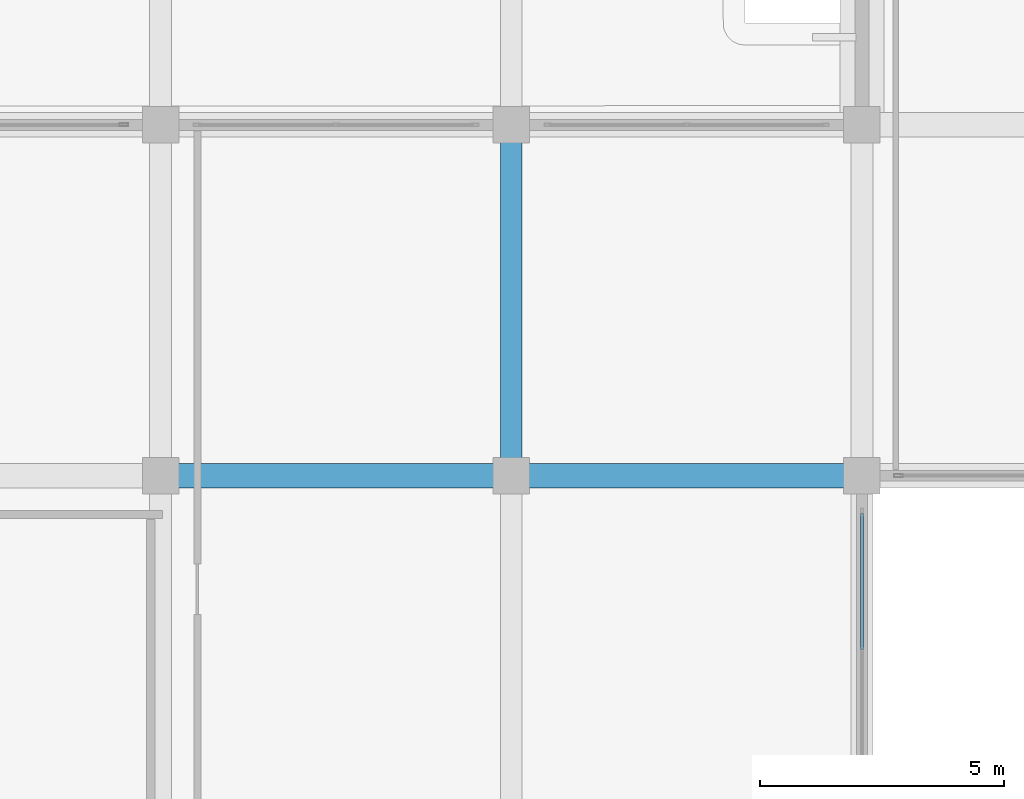
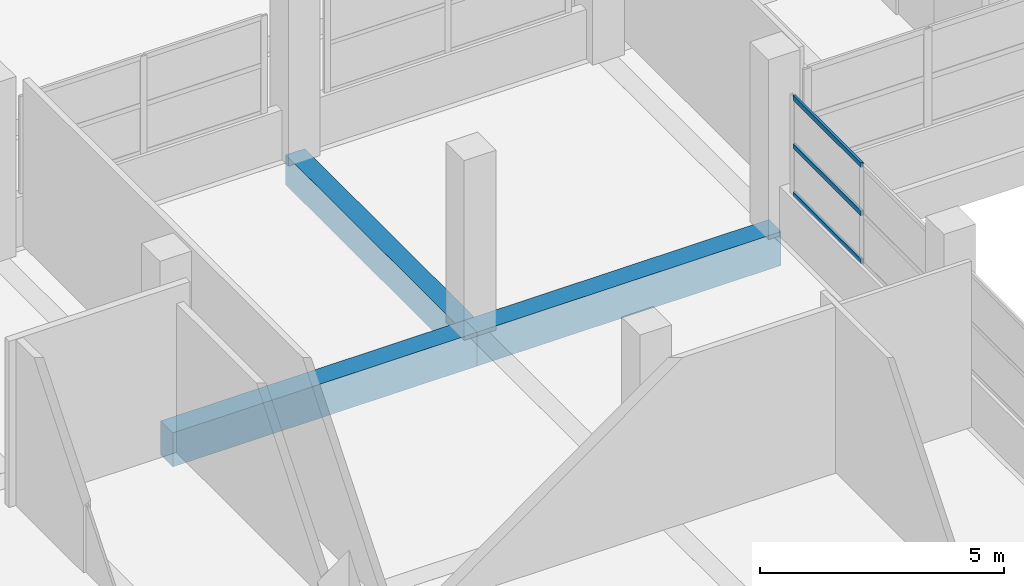
# One storey, part 64 of 141: 3 beams, 3 members, 1 element without a shape of its own.
"""IFC4 building model written with IfcOpenShell, lengths in metres."""

from ifc_helpers import new_model, si_unit, direction, frame, origin, origin_2d, place, context, subcontext, project, spatial, rectangle, hollow_rectangle, extrude, material, layer, layer_set, material_profile, profile_set, type_object, element, aggregate, save


model = new_model("IFC4")

# Units and contexts
model_context = context("Model", 3, precision=1e-05, world=origin(), true_north=direction((0.0, 1.0)))
body_context = subcontext(model_context, "Body", "Model", "MODEL_VIEW")
ifc_project = project(units=[si_unit("LENGTHUNIT", "METRE"), si_unit("AREAUNIT", "SQUARE_METRE"), si_unit("VOLUMEUNIT", "CUBIC_METRE"), si_unit("PLANEANGLEUNIT", "RADIAN"), si_unit("MASSUNIT", "GRAM", prefix="KILO")], contexts=[model_context])

# Site, building, storey
site_placement = place(None, origin())
site = spatial("IfcSite", under=ifc_project, at=site_placement, CompositionType="ELEMENT")
building_placement = place(site_placement, origin())
building = spatial("IfcBuilding", under=site, at=building_placement, Name="Seraya Terrace Polytechnic", CompositionType="ELEMENT")
storey_placement = place(building_placement, frame((0.0, 0.0, 14.39990234375)))
storey = spatial("IfcBuildingStorey", under=building, at=storey_placement, Name="L03", CompositionType="ELEMENT", Elevation=14.39990234375)

# Beams
ifc_material_1 = material(Name="Concrete C40/50", Category="concrete")
ifc_material_profile_1 = material_profile(ifc_material_1, rectangle(XDim=0.5, YDim=0.85009765625, at=origin_2d()), Name="RC 500x850")
ifc_profile_set_1 = profile_set([ifc_material_profile_1], Name="Concrete C40/50")
beam_type_1 = type_object("IfcBeamType", Name="BM-05", PredefinedType="BEAM", material=ifc_profile_set_1)
for number, where, z_axis, x_axis, name in (
    (1, (28.800048828125, 64.800048828125, -0.4248046875), (1.0, 0.0, 0.0), (0.0, 1.0, 0.0), "Beam BM-05 L03 X (28.8..36.0, 64.8)"),
    (2, (36.0, 64.800048828125, -0.4248046875), (1.0, 0.0, 0.0), (0.0, 1.0, 0.0), "Beam BM-05 L03 X (36.0..43.2, 64.8)"),
):
    element("IfcBeam", number, at=place(storey_placement, frame(where, z_axis=z_axis, x_axis=x_axis)), inside=storey, type_object=beam_type_1, Name=name, PredefinedType="BEAM", context=body_context, shape_type="SweptSolid", body=[
        extrude(rectangle(XDim=0.5, YDim=0.85009765625, at=origin_2d()), origin(), (0.0, 0.0, 1.0), 7.199951171875),
    ])
ifc_material_profile_2 = material_profile(ifc_material_1, rectangle(XDim=0.449951171875, YDim=0.75, at=origin_2d()), Name="RC 450x750")
ifc_profile_set_2 = profile_set([ifc_material_profile_2], Name="Concrete C40/50")
beam_type_2 = type_object("IfcBeamType", Name="BM-08", PredefinedType="BEAM", material=ifc_profile_set_2)
beam_placement = place(storey_placement, frame((36.0, 64.800048828125, -0.375), z_axis=(0.0, 1.0, 0.0), x_axis=(-1.0, 0.0, 0.0)))
element("IfcBeam", 3, at=beam_placement, inside=storey, type_object=beam_type_2, Name="Beam BM-08 L03 Y (36.0, 64.8..72.0)", PredefinedType="BEAM", context=body_context, shape_type="SweptSolid", body=[
    extrude(rectangle(XDim=0.449951171875, YDim=0.75, at=origin_2d()), origin(), (0.0, 0.0, 1.0), 7.199951171875),
])

# Curtain wall, members
ifc_material_2 = material(Name="Anodised aluminium EN AW-6063 T6", Category="aluminium")
ifc_layer = layer(ifc_material_2, 0.179931640625, Name="CW-02")
ifc_layer_set = layer_set([ifc_layer], Name="Anodised aluminium EN AW-6063 T6")
curtain_wall_type = type_object("IfcCurtainWallType", Name="CW-02", PredefinedType="NOTDEFINED", material=ifc_layer_set)
curtain_wall_placement = place(storey_placement, origin())
curtain_wall = element("IfcCurtainWall", 4, at=curtain_wall_placement, inside=storey, type_object=curtain_wall_type, Name="Unitised curtain wall CW-02 (CW-L03-146)", PredefinedType="NOTDEFINED")
ifc_material_profile_3 = material_profile(ifc_material_2, hollow_rectangle(XDim=0.06005859375, YDim=0.1201171875, WallThickness=0.003173828125, at=origin_2d()), Name="RHS 120x60x3.2")
ifc_profile_set_3 = profile_set([ifc_material_profile_3], Name="Anodised aluminium EN AW-6063 T6")
member_type = type_object("IfcMemberType", Name="CWT-02", PredefinedType="USERDEFINED", material=ifc_profile_set_3)
member_1_placement = place(storey_placement, frame((43.199951171875, 64.02001953125, 1.27001953125), z_axis=(0.0, -1.0, 0.0), x_axis=(1.0, 0.0, 0.0)))
member_1 = element("IfcMember", 5, at=member_1_placement, type_object=member_type, Name="CW-02 transom 1.1", ObjectType="TRANSOM", PredefinedType="USERDEFINED", context=body_context, shape_type="SweptSolid", body=[
    extrude(hollow_rectangle(XDim=0.06005859375, YDim=0.1201171875, WallThickness=0.003173828125, at=origin_2d()), origin(), (0.0, 0.0, 1.0), 2.7900390625),
])
member_2_placement = place(storey_placement, frame((43.199951171875, 64.02001953125, 2.47509765625), z_axis=(0.0, -1.0, 0.0), x_axis=(1.0, 0.0, 0.0)))
member_2 = element("IfcMember", 6, at=member_2_placement, type_object=member_type, Name="CW-02 transom 1.2", ObjectType="TRANSOM", PredefinedType="USERDEFINED", context=body_context, shape_type="SweptSolid", body=[
    extrude(hollow_rectangle(XDim=0.06005859375, YDim=0.1201171875, WallThickness=0.003173828125, at=origin_2d()), origin(), (0.0, 0.0, 1.0), 2.7900390625),
])
member_3_placement = place(storey_placement, frame((43.199951171875, 64.02001953125, 3.68017578125), z_axis=(0.0, -1.0, 0.0), x_axis=(1.0, 0.0, 0.0)))
member_3 = element("IfcMember", 7, at=member_3_placement, type_object=member_type, Name="CW-02 transom 1.3", ObjectType="TRANSOM", PredefinedType="USERDEFINED", context=body_context, shape_type="SweptSolid", body=[
    extrude(hollow_rectangle(XDim=0.06005859375, YDim=0.1201171875, WallThickness=0.003173828125, at=origin_2d()), origin(), (0.0, 0.0, 1.0), 2.7900390625),
])
aggregate(curtain_wall, [member_1, member_2, member_3])

save(model, "model.ifc")
